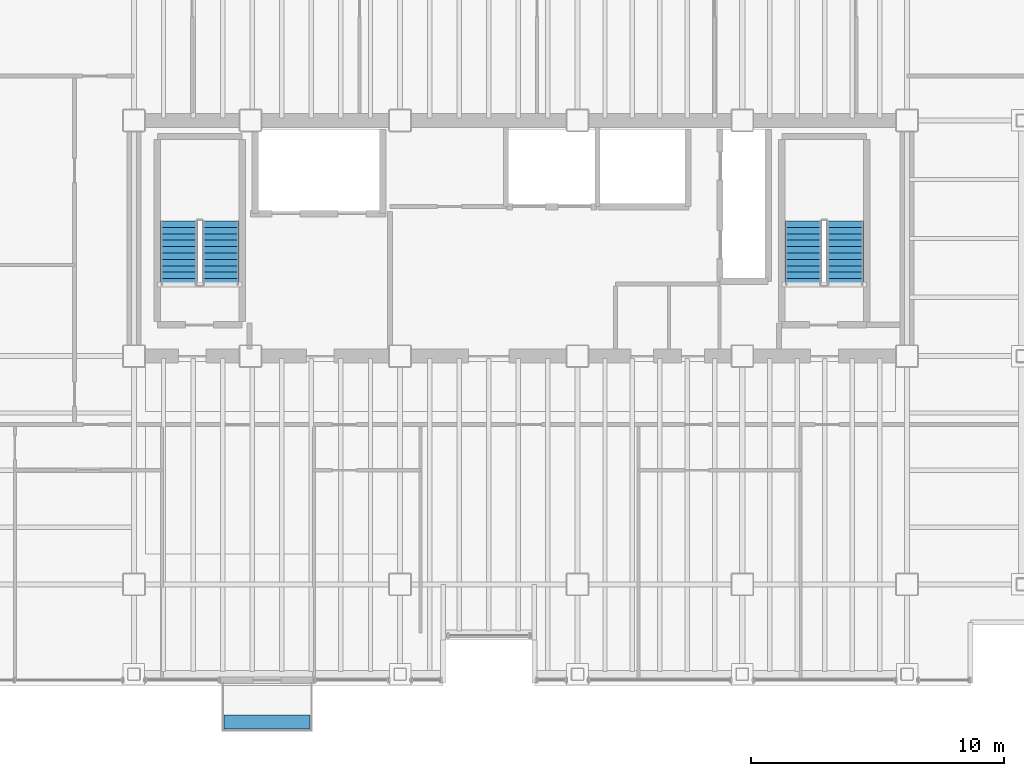
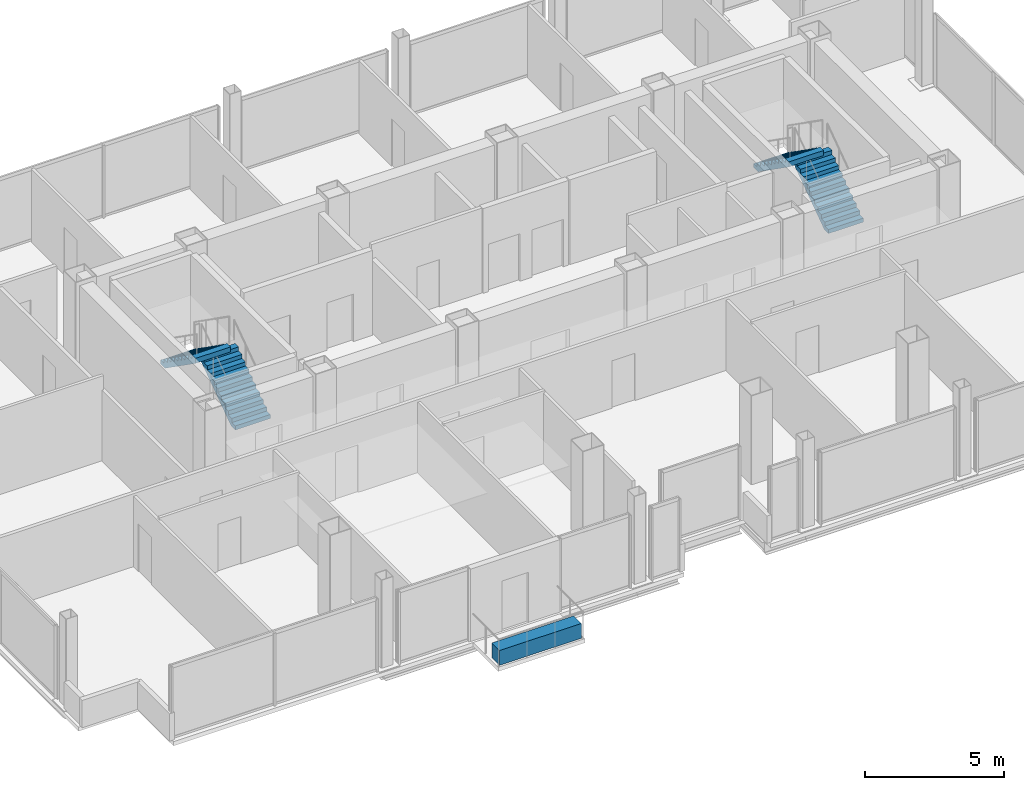
# One storey, part 18 of 19: 4 stair flights, 1 discrete accessory, 2 elements without a shape of their own.
"""IFC4 building model written with IfcOpenShell, lengths in metres."""

from ifc_helpers import new_model, si_unit, direction, frame, origin, origin_2d, place, context, subcontext, project, spatial, polyline, rectangle, outline, extrude, material, layer, layer_set, type_object, element, aggregate, save


model = new_model("IFC4")

# Units and contexts
model_context = context("Model", 3, precision=1e-05, world=origin(), true_north=direction((0.0, 1.0)))
body_context = subcontext(model_context, "Body", "Model", "MODEL_VIEW")
ifc_project = project(units=[si_unit("LENGTHUNIT", "METRE"), si_unit("AREAUNIT", "SQUARE_METRE"), si_unit("VOLUMEUNIT", "CUBIC_METRE"), si_unit("PLANEANGLEUNIT", "RADIAN"), si_unit("MASSUNIT", "GRAM", prefix="KILO")], contexts=[model_context])

# Site, building, storey
site_placement = place(None, origin())
site = spatial("IfcSite", under=ifc_project, at=site_placement, CompositionType="ELEMENT")
building_placement = place(site_placement, origin())
building = spatial("IfcBuilding", under=site, at=building_placement, Name="Noeulbin Bourse Tower", CompositionType="ELEMENT")
storey_placement = place(building_placement, frame((0.0, 0.0, 157.800048828125)))
storey = spatial("IfcBuildingStorey", under=building, at=storey_placement, Name="L39", CompositionType="ELEMENT", Elevation=157.800048828125)

# Stair, stair flights
ifc_material_1 = material(Name="Concrete C40/50", Category="concrete")
stair_type = type_object("IfcStairType", Name="STR-CORE-1560", PredefinedType="HALF_TURN_STAIR", material=ifc_material_1)
stair_1_placement = place(storey_placement, origin())
stair_1 = element("IfcStair", 1, at=stair_1_placement, inside=storey, type_object=stair_type, Name="L39 ST-1", PredefinedType="HALF_TURN_STAIR")
stair_flight_type = type_object("IfcStairFlightType", Name="SFL-CORE-1560", PredefinedType="STRAIGHT", material=ifc_material_1)
stair_flight_1_placement = place(storey_placement, frame((16.925048828125, 31.81005859375, 0.0), z_axis=(0.0, 0.0, 1.0), x_axis=(0.0, 1.0, 0.0)))
stair_flight_1 = element("IfcStairFlight", 2, at=stair_flight_1_placement, type_object=stair_flight_type, Name="ST-1 flight 1", NumberOfRisers=11, NumberOfTreads=10, PredefinedType="STRAIGHT", RiserHeight=0.177272727, TreadLength=0.252, context=body_context, shape_type="SweptSolid", body=[
    extrude(outline(polyline([(0.0, 0.0), (0.0, 0.17724609375), (0.251953125, 0.17724609375), (0.251953125, 0.3544921875), (0.50390625, 0.3544921875), (0.50390625, 0.53173828125), (0.756103515625, 0.53173828125), (0.756103515625, 0.708984375), (1.008056640625, 0.708984375), (1.008056640625, 0.886474609375), (1.260009765625, 0.886474609375), (1.260009765625, 1.063720703125), (1.511962890625, 1.063720703125), (1.511962890625, 1.240966796875), (1.763916015625, 1.240966796875), (1.763916015625, 1.418212890625), (2.01611328125, 1.418212890625), (2.01611328125, 1.595458984375), (2.26806640625, 1.595458984375), (2.26806640625, 1.772705078125), (2.52001953125, 1.772705078125), (2.52001953125, 1.949951171875), (2.52001953125, 1.552734375), (0.312744140625, 0.0), (0.0, 0.0)])), frame((0.0, 0.72509765625, 0.0), z_axis=(0.0, -1.0, 0.0), x_axis=(1.0, 0.0, 0.0)), (0.0, 0.0, 1.0), 1.449951171875),
])
stair_flight_2_placement = place(storey_placement, frame((15.27490234375, 34.330078125, 1.949951171875), z_axis=(0.0, 0.0, 1.0), x_axis=(0.0, -1.0, 0.0)))
stair_flight_2 = element("IfcStairFlight", 3, at=stair_flight_2_placement, type_object=stair_flight_type, Name="ST-1 flight 2", NumberOfRisers=11, NumberOfTreads=10, PredefinedType="STRAIGHT", RiserHeight=0.177272727, TreadLength=0.252, context=body_context, shape_type="SweptSolid", body=[
    extrude(outline(polyline([(0.0, 0.0), (0.0, 0.17724609375), (0.251953125, 0.17724609375), (0.251953125, 0.3544921875), (0.50390625, 0.3544921875), (0.50390625, 0.53173828125), (0.756103515625, 0.53173828125), (0.756103515625, 0.708984375), (1.008056640625, 0.708984375), (1.008056640625, 0.886474609375), (1.260009765625, 0.886474609375), (1.260009765625, 1.063720703125), (1.511962890625, 1.063720703125), (1.511962890625, 1.240966796875), (1.763916015625, 1.240966796875), (1.763916015625, 1.418212890625), (2.01611328125, 1.418212890625), (2.01611328125, 1.595458984375), (2.26806640625, 1.595458984375), (2.26806640625, 1.772705078125), (2.52001953125, 1.772705078125), (2.52001953125, 1.949951171875), (2.52001953125, 1.552734375), (0.312744140625, 0.0), (0.0, 0.0)])), frame((0.0, 0.72509765625, 0.0), z_axis=(0.0, -1.0, 0.0), x_axis=(1.0, 0.0, 0.0)), (0.0, 0.0, 1.0), 1.449951171875),
])
aggregate(stair_1, [stair_flight_1, stair_flight_2])

stair_2_placement = place(storey_placement, origin())
stair_2 = element("IfcStair", 4, at=stair_2_placement, inside=storey, type_object=stair_type, Name="L39 ST-2", PredefinedType="HALF_TURN_STAIR")
stair_flight_3_placement = place(storey_placement, frame((41.554931640625, 31.81005859375, 0.0), z_axis=(0.0, 0.0, 1.0), x_axis=(0.0, 1.0, 0.0)))
stair_flight_3 = element("IfcStairFlight", 5, at=stair_flight_3_placement, type_object=stair_flight_type, Name="ST-2 flight 1", NumberOfRisers=11, NumberOfTreads=10, PredefinedType="STRAIGHT", RiserHeight=0.177272727, TreadLength=0.252, context=body_context, shape_type="SweptSolid", body=[
    extrude(outline(polyline([(0.0, 0.0), (0.0, 0.17724609375), (0.251953125, 0.17724609375), (0.251953125, 0.3544921875), (0.50390625, 0.3544921875), (0.50390625, 0.53173828125), (0.756103515625, 0.53173828125), (0.756103515625, 0.708984375), (1.008056640625, 0.708984375), (1.008056640625, 0.886474609375), (1.260009765625, 0.886474609375), (1.260009765625, 1.063720703125), (1.511962890625, 1.063720703125), (1.511962890625, 1.240966796875), (1.763916015625, 1.240966796875), (1.763916015625, 1.418212890625), (2.01611328125, 1.418212890625), (2.01611328125, 1.595458984375), (2.26806640625, 1.595458984375), (2.26806640625, 1.772705078125), (2.52001953125, 1.772705078125), (2.52001953125, 1.949951171875), (2.52001953125, 1.552734375), (0.312744140625, 0.0), (0.0, 0.0)])), frame((0.0, 0.72509765625, 0.0), z_axis=(0.0, -1.0, 0.0), x_axis=(1.0, 0.0, 0.0)), (0.0, 0.0, 1.0), 1.449951171875),
])
stair_flight_4_placement = place(storey_placement, frame((39.905029296875, 34.330078125, 1.949951171875), z_axis=(0.0, 0.0, 1.0), x_axis=(0.0, -1.0, 0.0)))
stair_flight_4 = element("IfcStairFlight", 6, at=stair_flight_4_placement, type_object=stair_flight_type, Name="ST-2 flight 2", NumberOfRisers=11, NumberOfTreads=10, PredefinedType="STRAIGHT", RiserHeight=0.177272727, TreadLength=0.252, context=body_context, shape_type="SweptSolid", body=[
    extrude(outline(polyline([(0.0, 0.0), (0.0, 0.17724609375), (0.251953125, 0.17724609375), (0.251953125, 0.3544921875), (0.50390625, 0.3544921875), (0.50390625, 0.53173828125), (0.756103515625, 0.53173828125), (0.756103515625, 0.708984375), (1.008056640625, 0.708984375), (1.008056640625, 0.886474609375), (1.260009765625, 0.886474609375), (1.260009765625, 1.063720703125), (1.511962890625, 1.063720703125), (1.511962890625, 1.240966796875), (1.763916015625, 1.240966796875), (1.763916015625, 1.418212890625), (2.01611328125, 1.418212890625), (2.01611328125, 1.595458984375), (2.26806640625, 1.595458984375), (2.26806640625, 1.772705078125), (2.52001953125, 1.772705078125), (2.52001953125, 1.949951171875), (2.52001953125, 1.552734375), (0.312744140625, 0.0), (0.0, 0.0)])), frame((0.0, 0.72509765625, 0.0), z_axis=(0.0, -1.0, 0.0), x_axis=(1.0, 0.0, 0.0)), (0.0, 0.0, 1.0), 1.449951171875),
])
aggregate(stair_2, [stair_flight_3, stair_flight_4])

# Discrete accessory
ifc_material_2 = material(Name="Architectural GFRC Concrete C40/50", Category="concrete")
ifc_layer = layer(ifc_material_2, 0.64990234375)
ifc_layer_set = layer_set([ifc_layer], Name="Architectural GFRC Concrete C40/50")
discrete_accessory_type = type_object("IfcDiscreteAccessoryType", Name="PLANTER-BOX-3600", PredefinedType="USERDEFINED", material=ifc_layer_set)
discrete_accessory_placement = place(storey_placement, frame((18.75, 14.56005859375, 0.0), z_axis=(0.0, 0.0, 1.0), x_axis=(1.0, 0.0, 0.0)))
element("IfcDiscreteAccessory", 7, at=discrete_accessory_placement, inside=storey, type_object=discrete_accessory_type, Name="Integrated Balcony Tree Planter Box L39", ObjectType="PLANTER", PredefinedType="USERDEFINED", context=body_context, shape_type="SweptSolid", body=[
    extrude(rectangle(XDim=3.39990234375, YDim=0.550048828125, at=origin_2d()), origin(), (0.0, 0.0, 1.0), 0.64990234375),
])

save(model, "model.ifc")
